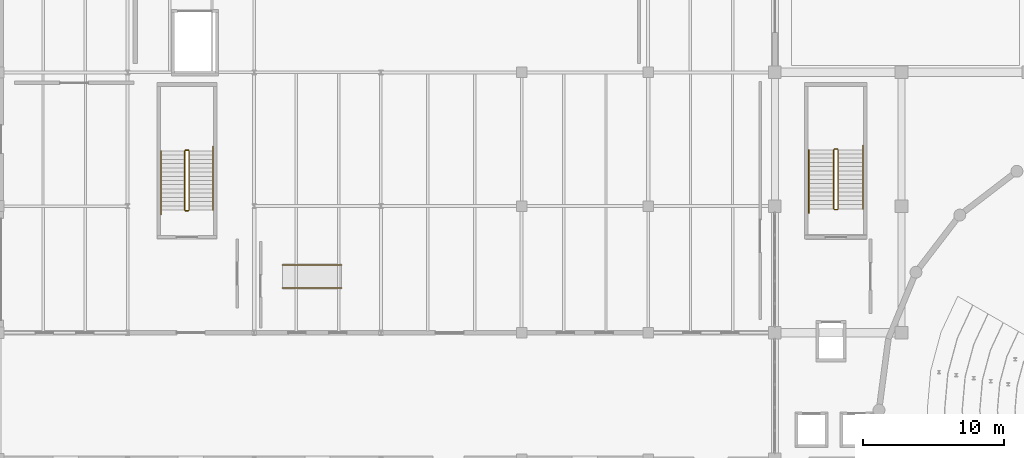
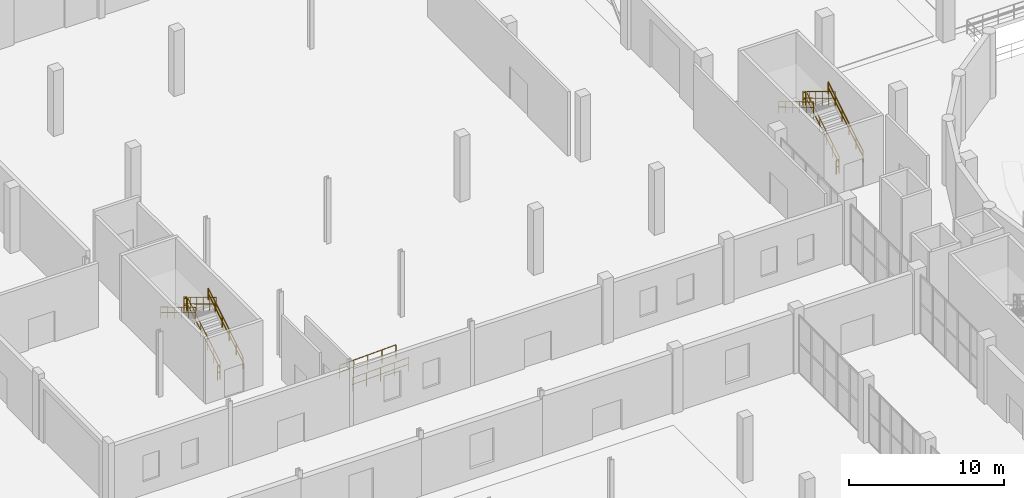
# One storey, part 98 of 103: 14 railings.
"""IFC4 building model written with IfcOpenShell, lengths in metres."""

from ifc_helpers import new_model, si_unit, direction, frame, origin, origin_2d, place, context, subcontext, project, spatial, circle, extrude, material, type_object, element, save


model = new_model("IFC4")

# Units and contexts
model_context = context("Model", 3, precision=1e-05, world=origin(), true_north=direction((0.0, 1.0)))
body_context = subcontext(model_context, "Body", "Model", "MODEL_VIEW")
ifc_project = project(units=[si_unit("LENGTHUNIT", "METRE"), si_unit("AREAUNIT", "SQUARE_METRE"), si_unit("VOLUMEUNIT", "CUBIC_METRE"), si_unit("PLANEANGLEUNIT", "RADIAN"), si_unit("MASSUNIT", "GRAM", prefix="KILO")], contexts=[model_context])

# Site, building, storey
site_placement = place(None, origin())
site = spatial("IfcSite", under=ifc_project, at=site_placement, CompositionType="ELEMENT")
building_placement = place(site_placement, origin())
building = spatial("IfcBuilding", under=site, at=building_placement, Name="Marnock Terrace Opera House", CompositionType="ELEMENT")
storey_placement = place(building_placement, origin())
storey = spatial("IfcBuildingStorey", under=building, at=storey_placement, Name="L00", CompositionType="ELEMENT", Elevation=0.0)

# Railings
ifc_material = material(Name="Architectural bronze balustrade")
railing_type_1 = type_object("IfcRailingType", Name="RL-GUARD-1100", PredefinedType="GUARDRAIL", material=ifc_material)
railing_1_placement = place(storey_placement, frame((59.489990234375, 74.800048828125, 0.179931640625)))
element("IfcRailing", 1, at=railing_1_placement, inside=storey, type_object=railing_type_1, Name="L00 ST-03 stair guard 1", PredefinedType="GUARDRAIL", context=body_context, shape_type="SweptSolid", body=[
    extrude(circle(Radius=0.02392578125, at=origin_2d()), frame((0.0, 0.0, 1.076171875), z_axis=(0.0, 0.857488527567, 0.514503085598), x_axis=(-1.0, 0.0, 0.0)), (0.0, 0.0, 1.0), 4.89794921875),
    extrude(circle(Radius=0.02392578125, at=origin_2d()), frame((0.0, 0.0, 0.550048828125), z_axis=(0.0, 0.857488527567, 0.514503085598), x_axis=(-1.0, 0.0, 0.0)), (0.0, 0.0, 1.0), 4.89794921875),
    extrude(circle(Radius=0.02099609375, at=origin_2d()), origin(), (0.0, 0.0, 1.0), 1.052001953125),
    extrude(circle(Radius=0.02099609375, at=origin_2d()), frame((0.0, 0.840087890625, 0.50390625)), (0.0, 0.0, 1.0), 1.052001953125),
    extrude(circle(Radius=0.02099609375, at=origin_2d()), frame((0.0, 1.679931640625, 1.008056640625)), (0.0, 0.0, 1.0), 1.052001953125),
    extrude(circle(Radius=0.02099609375, at=origin_2d()), frame((0.0, 2.52001953125, 1.511962890625)), (0.0, 0.0, 1.0), 1.052001953125),
    extrude(circle(Radius=0.02099609375, at=origin_2d()), frame((0.0, 3.35986328125, 2.01611328125)), (0.0, 0.0, 1.0), 1.052001953125),
    extrude(circle(Radius=0.02099609375, at=origin_2d()), frame((0.0, 4.199951171875, 2.52001953125)), (0.0, 0.0, 1.0), 1.052001953125),
])
railing_2_placement = place(storey_placement, frame((59.43994140625, 79.050048828125, 2.699951171875)))
element("IfcRailing", 2, at=railing_2_placement, inside=storey, type_object=railing_type_1, Name="L00 ST-03 stair guard 2", PredefinedType="GUARDRAIL", context=body_context, shape_type="SweptSolid", body=[
    extrude(circle(Radius=0.02392578125, at=origin_2d()), frame((0.0, 0.0, 1.076171875), z_axis=(-1.0, 0.0, 0.0), x_axis=(0.0, -1.0, 0.0)), (0.0, 0.0, 1.0), 0.199951171875),
    extrude(circle(Radius=0.02392578125, at=origin_2d()), frame((0.0, 0.0, 0.550048828125), z_axis=(-1.0, 0.0, 0.0), x_axis=(0.0, -1.0, 0.0)), (0.0, 0.0, 1.0), 0.199951171875),
    extrude(circle(Radius=0.02099609375, at=origin_2d()), origin(), (0.0, 0.0, 1.0), 1.052001953125),
    extrude(circle(Radius=0.02099609375, at=origin_2d()), frame((-0.199951171875, 0.0, 0.0)), (0.0, 0.0, 1.0), 1.052001953125),
])
railing_3_placement = place(storey_placement, frame((59.18994140625, 79.0, 2.8798828125)))
element("IfcRailing", 3, at=railing_3_placement, inside=storey, type_object=railing_type_1, Name="L00 ST-03 stair guard 3", PredefinedType="GUARDRAIL", context=body_context, shape_type="SweptSolid", body=[
    extrude(circle(Radius=0.02392578125, at=origin_2d()), frame((0.0, 0.0, 1.076171875), z_axis=(0.0, -0.857488527567, 0.514503085598), x_axis=(1.0, 0.0, 0.0)), (0.0, 0.0, 1.0), 4.89794921875),
    extrude(circle(Radius=0.02392578125, at=origin_2d()), frame((0.0, 0.0, 0.550048828125), z_axis=(0.0, -0.857488527567, 0.514503085598), x_axis=(1.0, 0.0, 0.0)), (0.0, 0.0, 1.0), 4.89794921875),
    extrude(circle(Radius=0.02099609375, at=origin_2d()), origin(), (0.0, 0.0, 1.0), 1.052001953125),
    extrude(circle(Radius=0.02099609375, at=origin_2d()), frame((0.0, -0.840087890625, 0.50390625)), (0.0, 0.0, 1.0), 1.052001953125),
    extrude(circle(Radius=0.02099609375, at=origin_2d()), frame((0.0, -1.679931640625, 1.008056640625)), (0.0, 0.0, 1.0), 1.052001953125),
    extrude(circle(Radius=0.02099609375, at=origin_2d()), frame((0.0, -2.52001953125, 1.511962890625)), (0.0, 0.0, 1.0), 1.052001953125),
    extrude(circle(Radius=0.02099609375, at=origin_2d()), frame((0.0, -3.35986328125, 2.01611328125)), (0.0, 0.0, 1.0), 1.052001953125),
    extrude(circle(Radius=0.02099609375, at=origin_2d()), frame((0.0, -4.199951171875, 2.52001953125)), (0.0, 0.0, 1.0), 1.052001953125),
])
railing_4_placement = place(storey_placement, frame((59.43994140625, 74.75, 0.0)))
element("IfcRailing", 4, at=railing_4_placement, inside=storey, type_object=railing_type_1, Name="L00 ST-03 stair guard 4", PredefinedType="GUARDRAIL", context=body_context, shape_type="SweptSolid", body=[
    extrude(circle(Radius=0.02392578125, at=origin_2d()), frame((0.0, 0.0, 1.076171875), z_axis=(-1.0, 0.0, 0.0), x_axis=(0.0, -1.0, 0.0)), (0.0, 0.0, 1.0), 0.199951171875),
    extrude(circle(Radius=0.02392578125, at=origin_2d()), frame((0.0, 0.0, 0.550048828125), z_axis=(-1.0, 0.0, 0.0), x_axis=(0.0, -1.0, 0.0)), (0.0, 0.0, 1.0), 0.199951171875),
    extrude(circle(Radius=0.02099609375, at=origin_2d()), origin(), (0.0, 0.0, 1.0), 1.052001953125),
    extrude(circle(Radius=0.02099609375, at=origin_2d()), frame((-0.199951171875, 0.0, 0.0)), (0.0, 0.0, 1.0), 1.052001953125),
])
railing_5_placement = place(storey_placement, frame((13.3701171875, 74.719970703125, 0.179931640625)))
element("IfcRailing", 5, at=railing_5_placement, inside=storey, type_object=railing_type_1, Name="L00 ST-07 stair guard 1", PredefinedType="GUARDRAIL", context=body_context, shape_type="SweptSolid", body=[
    extrude(circle(Radius=0.02392578125, at=origin_2d()), frame((0.0, 0.0, 1.076171875), z_axis=(0.0, 0.857488527567, 0.514503085598), x_axis=(-1.0, 0.0, 0.0)), (0.0, 0.0, 1.0), 4.89794921875),
    extrude(circle(Radius=0.02392578125, at=origin_2d()), frame((0.0, 0.0, 0.550048828125), z_axis=(0.0, 0.857488527567, 0.514503085598), x_axis=(-1.0, 0.0, 0.0)), (0.0, 0.0, 1.0), 4.89794921875),
    extrude(circle(Radius=0.02099609375, at=origin_2d()), origin(), (0.0, 0.0, 1.0), 1.052001953125),
    extrude(circle(Radius=0.02099609375, at=origin_2d()), frame((0.0, 0.840087890625, 0.50390625)), (0.0, 0.0, 1.0), 1.052001953125),
    extrude(circle(Radius=0.02099609375, at=origin_2d()), frame((0.0, 1.679931640625, 1.008056640625)), (0.0, 0.0, 1.0), 1.052001953125),
    extrude(circle(Radius=0.02099609375, at=origin_2d()), frame((0.0, 2.52001953125, 1.511962890625)), (0.0, 0.0, 1.0), 1.052001953125),
    extrude(circle(Radius=0.02099609375, at=origin_2d()), frame((0.0, 3.35986328125, 2.01611328125)), (0.0, 0.0, 1.0), 1.052001953125),
    extrude(circle(Radius=0.02099609375, at=origin_2d()), frame((0.0, 4.199951171875, 2.52001953125)), (0.0, 0.0, 1.0), 1.052001953125),
])
railing_6_placement = place(storey_placement, frame((13.320068359375, 78.969970703125, 2.699951171875)))
element("IfcRailing", 6, at=railing_6_placement, inside=storey, type_object=railing_type_1, Name="L00 ST-07 stair guard 2", PredefinedType="GUARDRAIL", context=body_context, shape_type="SweptSolid", body=[
    extrude(circle(Radius=0.02392578125, at=origin_2d()), frame((0.0, 0.0, 1.076171875), z_axis=(-1.0, 0.0, 0.0), x_axis=(0.0, -1.0, 0.0)), (0.0, 0.0, 1.0), 0.199951171875),
    extrude(circle(Radius=0.02392578125, at=origin_2d()), frame((0.0, 0.0, 0.550048828125), z_axis=(-1.0, 0.0, 0.0), x_axis=(0.0, -1.0, 0.0)), (0.0, 0.0, 1.0), 0.199951171875),
    extrude(circle(Radius=0.02099609375, at=origin_2d()), origin(), (0.0, 0.0, 1.0), 1.052001953125),
    extrude(circle(Radius=0.02099609375, at=origin_2d()), frame((-0.199951171875, 0.0, 0.0)), (0.0, 0.0, 1.0), 1.052001953125),
])
railing_7_placement = place(storey_placement, frame((13.070068359375, 78.919921875, 2.8798828125)))
element("IfcRailing", 7, at=railing_7_placement, inside=storey, type_object=railing_type_1, Name="L00 ST-07 stair guard 3", PredefinedType="GUARDRAIL", context=body_context, shape_type="SweptSolid", body=[
    extrude(circle(Radius=0.02392578125, at=origin_2d()), frame((0.0, 0.0, 1.076171875), z_axis=(0.0, -0.857488527567, 0.514503085598), x_axis=(1.0, 0.0, 0.0)), (0.0, 0.0, 1.0), 4.89794921875),
    extrude(circle(Radius=0.02392578125, at=origin_2d()), frame((0.0, 0.0, 0.550048828125), z_axis=(0.0, -0.857488527567, 0.514503085598), x_axis=(1.0, 0.0, 0.0)), (0.0, 0.0, 1.0), 4.89794921875),
    extrude(circle(Radius=0.02099609375, at=origin_2d()), origin(), (0.0, 0.0, 1.0), 1.052001953125),
    extrude(circle(Radius=0.02099609375, at=origin_2d()), frame((0.0, -0.840087890625, 0.50390625)), (0.0, 0.0, 1.0), 1.052001953125),
    extrude(circle(Radius=0.02099609375, at=origin_2d()), frame((0.0, -1.679931640625, 1.008056640625)), (0.0, 0.0, 1.0), 1.052001953125),
    extrude(circle(Radius=0.02099609375, at=origin_2d()), frame((0.0, -2.52001953125, 1.511962890625)), (0.0, 0.0, 1.0), 1.052001953125),
    extrude(circle(Radius=0.02099609375, at=origin_2d()), frame((0.0, -3.35986328125, 2.01611328125)), (0.0, 0.0, 1.0), 1.052001953125),
    extrude(circle(Radius=0.02099609375, at=origin_2d()), frame((0.0, -4.199951171875, 2.52001953125)), (0.0, 0.0, 1.0), 1.052001953125),
])
railing_8_placement = place(storey_placement, frame((13.320068359375, 74.669921875, 0.0)))
element("IfcRailing", 8, at=railing_8_placement, inside=storey, type_object=railing_type_1, Name="L00 ST-07 stair guard 4", PredefinedType="GUARDRAIL", context=body_context, shape_type="SweptSolid", body=[
    extrude(circle(Radius=0.02392578125, at=origin_2d()), frame((0.0, 0.0, 1.076171875), z_axis=(-1.0, 0.0, 0.0), x_axis=(0.0, -1.0, 0.0)), (0.0, 0.0, 1.0), 0.199951171875),
    extrude(circle(Radius=0.02392578125, at=origin_2d()), frame((0.0, 0.0, 0.550048828125), z_axis=(-1.0, 0.0, 0.0), x_axis=(0.0, -1.0, 0.0)), (0.0, 0.0, 1.0), 0.199951171875),
    extrude(circle(Radius=0.02099609375, at=origin_2d()), origin(), (0.0, 0.0, 1.0), 1.052001953125),
    extrude(circle(Radius=0.02099609375, at=origin_2d()), frame((-0.199951171875, 0.0, 0.0)), (0.0, 0.0, 1.0), 1.052001953125),
])
for number, where, name in (
    (9, (20.0, 70.820068359375, 0.0), "RMP-STAGE-01 bilateral accessible handrail L"),
    (10, (20.0, 69.179931640625, 0.0), "RMP-STAGE-01 bilateral accessible handrail R"),
):
    element("IfcRailing", number, at=place(storey_placement, frame(where)), inside=storey, type_object=railing_type_1, Name=name, PredefinedType="GUARDRAIL", context=body_context, shape_type="SweptSolid", body=[
        extrude(circle(Radius=0.02392578125, at=origin_2d()), frame((0.0, 0.0, 1.076171875), z_axis=(0.999445744913, 0.0, 0.03328968272), x_axis=(0.0, 1.0, 0.0)), (0.0, 0.0, 1.0), 4.202392578125),
        extrude(circle(Radius=0.02392578125, at=origin_2d()), frame((0.0, 0.0, 0.550048828125), z_axis=(0.999445744913, 0.0, 0.03328968272), x_axis=(0.0, 1.0, 0.0)), (0.0, 0.0, 1.0), 4.202392578125),
        extrude(circle(Radius=0.02099609375, at=origin_2d()), origin(), (0.0, 0.0, 1.0), 1.052001953125),
        extrude(circle(Radius=0.02099609375, at=origin_2d()), frame((1.050048828125, 0.0, 0.034912109375)), (0.0, 0.0, 1.0), 1.052001953125),
        extrude(circle(Radius=0.02099609375, at=origin_2d()), frame((2.10009765625, 0.0, 0.06982421875)), (0.0, 0.0, 1.0), 1.052001953125),
        extrude(circle(Radius=0.02099609375, at=origin_2d()), frame((3.14990234375, 0.0, 0.10498046875)), (0.0, 0.0, 1.0), 1.052001953125),
        extrude(circle(Radius=0.02099609375, at=origin_2d()), frame((4.199951171875, 0.0, 0.139892578125)), (0.0, 0.0, 1.0), 1.052001953125),
    ])
railing_type_2 = type_object("IfcRailingType", Name="RL-HAND-900", PredefinedType="HANDRAIL", material=ifc_material)
railing_9_placement = place(storey_placement, frame((61.27001953125, 74.800048828125, 0.19189453125)))
element("IfcRailing", 11, at=railing_9_placement, inside=storey, type_object=railing_type_2, Name="L00 ST-03 stair handrail 1", PredefinedType="HANDRAIL", context=body_context, shape_type="SweptSolid", body=[
    extrude(circle(Radius=0.02392578125, at=origin_2d()), frame((0.0, 0.0, 0.8759765625), z_axis=(0.0, 0.857476506072, 0.514523120505), x_axis=(-1.0, 0.0, 0.0)), (0.0, 0.0, 1.0), 5.248046875),
    extrude(circle(Radius=0.02392578125, at=origin_2d()), frame((0.0, 0.0, 0.449951171875), z_axis=(0.0, 0.857476506072, 0.514523120505), x_axis=(-1.0, 0.0, 0.0)), (0.0, 0.0, 1.0), 5.248046875),
    extrude(circle(Radius=0.02099609375, at=origin_2d()), origin(), (0.0, 0.0, 1.0), 0.851806640625),
    extrude(circle(Radius=0.02099609375, at=origin_2d()), frame((0.0, 0.89990234375, 0.5400390625)), (0.0, 0.0, 1.0), 0.851806640625),
    extrude(circle(Radius=0.02099609375, at=origin_2d()), frame((0.0, 1.800048828125, 1.080078125)), (0.0, 0.0, 1.0), 0.851806640625),
    extrude(circle(Radius=0.02099609375, at=origin_2d()), frame((0.0, 2.699951171875, 1.6201171875)), (0.0, 0.0, 1.0), 0.851806640625),
    extrude(circle(Radius=0.02099609375, at=origin_2d()), frame((0.0, 3.60009765625, 2.16015625)), (0.0, 0.0, 1.0), 0.851806640625),
    extrude(circle(Radius=0.02099609375, at=origin_2d()), frame((0.0, 4.5, 2.7001953125)), (0.0, 0.0, 1.0), 0.851806640625),
])
railing_10_placement = place(storey_placement, frame((57.409912109375, 79.0, 2.89208984375)))
element("IfcRailing", 12, at=railing_10_placement, inside=storey, type_object=railing_type_2, Name="L00 ST-03 stair handrail 2", PredefinedType="HANDRAIL", context=body_context, shape_type="SweptSolid", body=[
    extrude(circle(Radius=0.02392578125, at=origin_2d()), frame((0.0, 0.0, 0.8759765625), z_axis=(0.0, -0.857497030584, 0.514488913912), x_axis=(1.0, 0.0, 0.0)), (0.0, 0.0, 1.0), 5.247802734375),
    extrude(circle(Radius=0.02392578125, at=origin_2d()), frame((0.0, 0.0, 0.449951171875), z_axis=(0.0, -0.857497030584, 0.514488913912), x_axis=(1.0, 0.0, 0.0)), (0.0, 0.0, 1.0), 5.247802734375),
    extrude(circle(Radius=0.02099609375, at=origin_2d()), origin(), (0.0, 0.0, 1.0), 0.851806640625),
    extrude(circle(Radius=0.02099609375, at=origin_2d()), frame((0.0, -0.89990234375, 0.5400390625)), (0.0, 0.0, 1.0), 0.851806640625),
    extrude(circle(Radius=0.02099609375, at=origin_2d()), frame((0.0, -1.800048828125, 1.080078125)), (0.0, 0.0, 1.0), 0.851806640625),
    extrude(circle(Radius=0.02099609375, at=origin_2d()), frame((0.0, -2.699951171875, 1.619873046875)), (0.0, 0.0, 1.0), 0.851806640625),
    extrude(circle(Radius=0.02099609375, at=origin_2d()), frame((0.0, -3.60009765625, 2.159912109375)), (0.0, 0.0, 1.0), 0.851806640625),
    extrude(circle(Radius=0.02099609375, at=origin_2d()), frame((0.0, -4.5, 2.699951171875)), (0.0, 0.0, 1.0), 0.851806640625),
])
railing_11_placement = place(storey_placement, frame((15.070068359375, 74.719970703125, 0.19189453125)))
element("IfcRailing", 13, at=railing_11_placement, inside=storey, type_object=railing_type_2, Name="L00 ST-07 stair handrail 1", PredefinedType="HANDRAIL", context=body_context, shape_type="SweptSolid", body=[
    extrude(circle(Radius=0.02392578125, at=origin_2d()), frame((0.0, 0.0, 0.8759765625), z_axis=(0.0, 0.857476506072, 0.514523120505), x_axis=(-1.0, 0.0, 0.0)), (0.0, 0.0, 1.0), 5.248046875),
    extrude(circle(Radius=0.02392578125, at=origin_2d()), frame((0.0, 0.0, 0.449951171875), z_axis=(0.0, 0.857476506072, 0.514523120505), x_axis=(-1.0, 0.0, 0.0)), (0.0, 0.0, 1.0), 5.248046875),
    extrude(circle(Radius=0.02099609375, at=origin_2d()), origin(), (0.0, 0.0, 1.0), 0.851806640625),
    extrude(circle(Radius=0.02099609375, at=origin_2d()), frame((0.0, 0.89990234375, 0.5400390625)), (0.0, 0.0, 1.0), 0.851806640625),
    extrude(circle(Radius=0.02099609375, at=origin_2d()), frame((0.0, 1.800048828125, 1.080078125)), (0.0, 0.0, 1.0), 0.851806640625),
    extrude(circle(Radius=0.02099609375, at=origin_2d()), frame((0.0, 2.699951171875, 1.6201171875)), (0.0, 0.0, 1.0), 0.851806640625),
    extrude(circle(Radius=0.02099609375, at=origin_2d()), frame((0.0, 3.60009765625, 2.16015625)), (0.0, 0.0, 1.0), 0.851806640625),
    extrude(circle(Radius=0.02099609375, at=origin_2d()), frame((0.0, 4.5, 2.7001953125)), (0.0, 0.0, 1.0), 0.851806640625),
])
railing_12_placement = place(storey_placement, frame((11.3701171875, 78.919921875, 2.89208984375)))
element("IfcRailing", 14, at=railing_12_placement, inside=storey, type_object=railing_type_2, Name="L00 ST-07 stair handrail 2", PredefinedType="HANDRAIL", context=body_context, shape_type="SweptSolid", body=[
    extrude(circle(Radius=0.02392578125, at=origin_2d()), frame((0.0, 0.0, 0.8759765625), z_axis=(0.0, -0.857497030584, 0.514488913912), x_axis=(1.0, 0.0, 0.0)), (0.0, 0.0, 1.0), 5.247802734375),
    extrude(circle(Radius=0.02392578125, at=origin_2d()), frame((0.0, 0.0, 0.449951171875), z_axis=(0.0, -0.857497030584, 0.514488913912), x_axis=(1.0, 0.0, 0.0)), (0.0, 0.0, 1.0), 5.247802734375),
    extrude(circle(Radius=0.02099609375, at=origin_2d()), origin(), (0.0, 0.0, 1.0), 0.851806640625),
    extrude(circle(Radius=0.02099609375, at=origin_2d()), frame((0.0, -0.89990234375, 0.5400390625)), (0.0, 0.0, 1.0), 0.851806640625),
    extrude(circle(Radius=0.02099609375, at=origin_2d()), frame((0.0, -1.800048828125, 1.080078125)), (0.0, 0.0, 1.0), 0.851806640625),
    extrude(circle(Radius=0.02099609375, at=origin_2d()), frame((0.0, -2.699951171875, 1.619873046875)), (0.0, 0.0, 1.0), 0.851806640625),
    extrude(circle(Radius=0.02099609375, at=origin_2d()), frame((0.0, -3.60009765625, 2.159912109375)), (0.0, 0.0, 1.0), 0.851806640625),
    extrude(circle(Radius=0.02099609375, at=origin_2d()), frame((0.0, -4.5, 2.699951171875)), (0.0, 0.0, 1.0), 0.851806640625),
])

save(model, "model.ifc")
